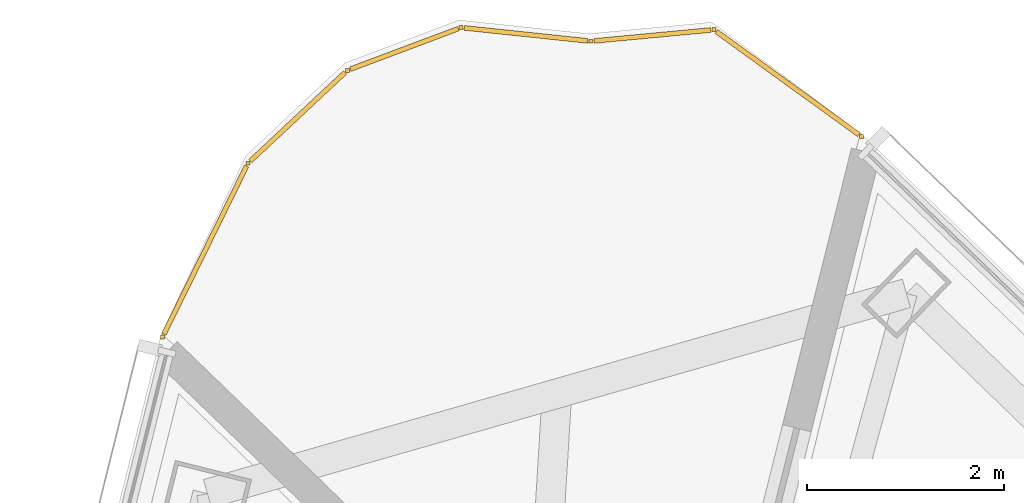
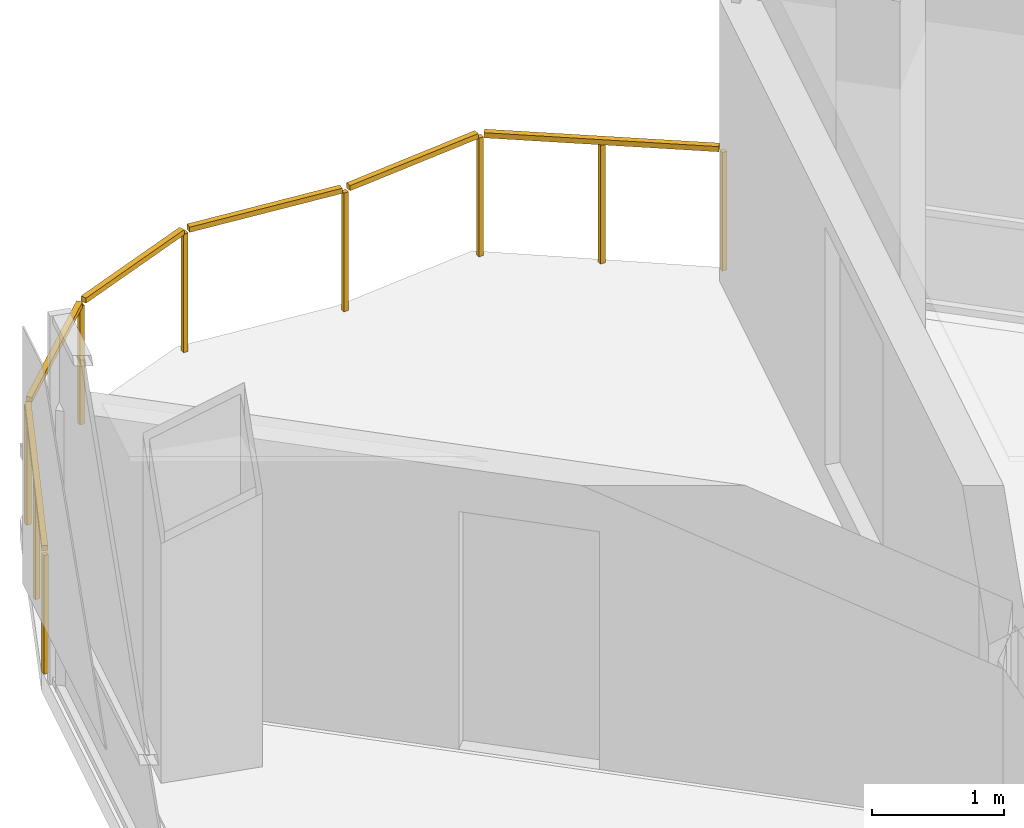
# One storey, part 19 of 19: 1 railing.
"""IFC4 building model written with IfcOpenShell, lengths in metres."""

from ifc_helpers import new_model, si_unit, direction, frame, origin, origin_2d, place, context, subcontext, project, spatial, rectangle, extrude, material, type_object, element, save


model = new_model("IFC4")

# Units and contexts
model_context = context("Model", 3, precision=1e-05, world=origin(), true_north=direction((0.0, 1.0)))
body_context = subcontext(model_context, "Body", "Model", "MODEL_VIEW")
ifc_project = project(units=[si_unit("LENGTHUNIT", "METRE"), si_unit("AREAUNIT", "SQUARE_METRE"), si_unit("VOLUMEUNIT", "CUBIC_METRE"), si_unit("PLANEANGLEUNIT", "RADIAN"), si_unit("MASSUNIT", "GRAM", prefix="KILO")], contexts=[model_context])

# Site, building, storey
site_placement = place(None, origin())
site = spatial("IfcSite", under=ifc_project, at=site_placement, CompositionType="ELEMENT")
building_placement = place(site_placement, origin())
building = spatial("IfcBuilding", under=site, at=building_placement, Name="Tharavind Bronze Gate", CompositionType="ELEMENT")
storey_placement = place(building_placement, frame((0.0, 0.0, 89.699951171875)))
storey = spatial("IfcBuildingStorey", under=building, at=storey_placement, Name="L22", CompositionType="ELEMENT", Elevation=89.699951171875)

# Railing
ifc_material = material(Name="Bronze Cap & Laminated Glass", Category="glass")
railing_type = type_object("IfcRailingType", Name="TERRACE GLASS GUARD RAILING 1150", PredefinedType="GUARDRAIL", material=ifc_material)
railing_placement = place(storey_placement, frame((-11.977783203125, 23.548095703125, 0.0)))
element("IfcRailing", 1, at=railing_placement, inside=storey, type_object=railing_type, Name="L22 tree balcony guard railing", PredefinedType="GUARDRAIL", context=body_context, shape_type="SweptSolid", body=[
    extrude(rectangle(XDim=0.048095703125, YDim=0.048095703125, at=origin_2d()), frame((0.01416015625, 0.02880859375, 1.1259765625), z_axis=(0.441156065907, 0.897430401487, 0.0), x_axis=(-0.897430401487, 0.441156065907, 0.0)), (0.0, 0.0, 1.0), 1.90625),
    extrude(rectangle(XDim=0.048095703125, YDim=0.048095703125, at=origin_2d()), frame((0.892578125, 1.7900390625, 1.1259765625), z_axis=(0.730328135608, 0.683096489772, 0.0), x_axis=(-0.683096489772, 0.730328135608, 0.0)), (0.0, 0.0, 1.0), 1.3212890625),
    extrude(rectangle(XDim=0.048095703125, YDim=0.048095703125, at=origin_2d()), frame((1.910888671875, 2.7255859375, 1.1259765625), z_axis=(0.936134406694, 0.351642393071, 0.0), x_axis=(-0.351642393071, 0.936134406694, 0.0)), (0.0, 0.0, 1.0), 1.17333984375),
    extrude(rectangle(XDim=0.048095703125, YDim=0.048095703125, at=origin_2d()), frame((3.07080078125, 3.14599609375, 1.1259765625), z_axis=(0.994513494848, -0.104608358011, 0.0), x_axis=(0.104608358011, 0.994513494848, 0.0)), (0.0, 0.0, 1.0), 1.266357421875),
    extrude(rectangle(XDim=0.048095703125, YDim=0.048095703125, at=origin_2d()), frame((4.393798828125, 3.01318359375, 1.1259765625), z_axis=(0.995611027897, 0.093587825761, 0.0), x_axis=(-0.093587825761, 0.995611027897, 0.0)), (0.0, 0.0, 1.0), 1.190673828125),
    extrude(rectangle(XDim=0.048095703125, YDim=0.048095703125, at=origin_2d()), frame((5.63720703125, 3.10888671875, 1.1259765625), z_axis=(0.809873110724, -0.586605101006, 0.0), x_axis=(0.586605101006, 0.809873110724, 0.0)), (0.0, 0.0, 1.0), 1.79052734375),
    extrude(rectangle(XDim=0.0400390625, YDim=0.0400390625, at=origin_2d()), origin(), (0.0, 0.0, 1.0), 1.097900390625),
    extrude(rectangle(XDim=0.0400390625, YDim=0.0400390625, at=origin_2d()), frame((0.4345703125, 0.884033203125, 0.0)), (0.0, 0.0, 1.0), 1.097900390625),
    extrude(rectangle(XDim=0.0400390625, YDim=0.0400390625, at=origin_2d()), frame((0.869140625, 1.76806640625, 0.0)), (0.0, 0.0, 1.0), 1.097900390625),
    extrude(rectangle(XDim=0.0400390625, YDim=0.0400390625, at=origin_2d()), frame((1.880859375, 2.71435546875, 0.0)), (0.0, 0.0, 1.0), 1.097900390625),
    extrude(rectangle(XDim=0.0400390625, YDim=0.0400390625, at=origin_2d()), frame((3.0390625, 3.1494140625, 0.0)), (0.0, 0.0, 1.0), 1.097900390625),
    extrude(rectangle(XDim=0.0400390625, YDim=0.0400390625, at=origin_2d()), frame((4.362060546875, 3.01025390625, 0.0)), (0.0, 0.0, 1.0), 1.097900390625),
    extrude(rectangle(XDim=0.0400390625, YDim=0.0400390625, at=origin_2d()), frame((5.611328125, 3.127685546875, 0.0)), (0.0, 0.0, 1.0), 1.097900390625),
    extrude(rectangle(XDim=0.0400390625, YDim=0.0400390625, at=origin_2d()), frame((6.3623046875, 2.583740234375, 0.0)), (0.0, 0.0, 1.0), 1.097900390625),
    extrude(rectangle(XDim=0.0400390625, YDim=0.0400390625, at=origin_2d()), frame((7.11328125, 2.039794921875, 0.0)), (0.0, 0.0, 1.0), 1.097900390625),
])

save(model, "model.ifc")
